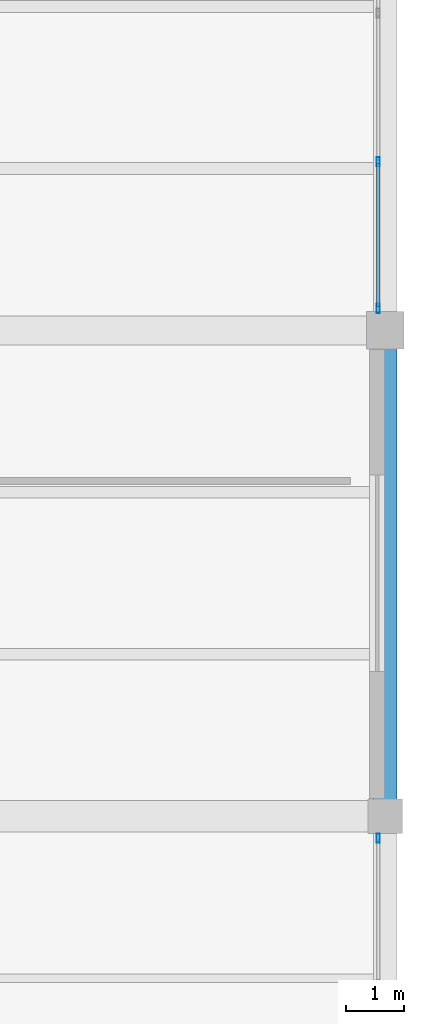
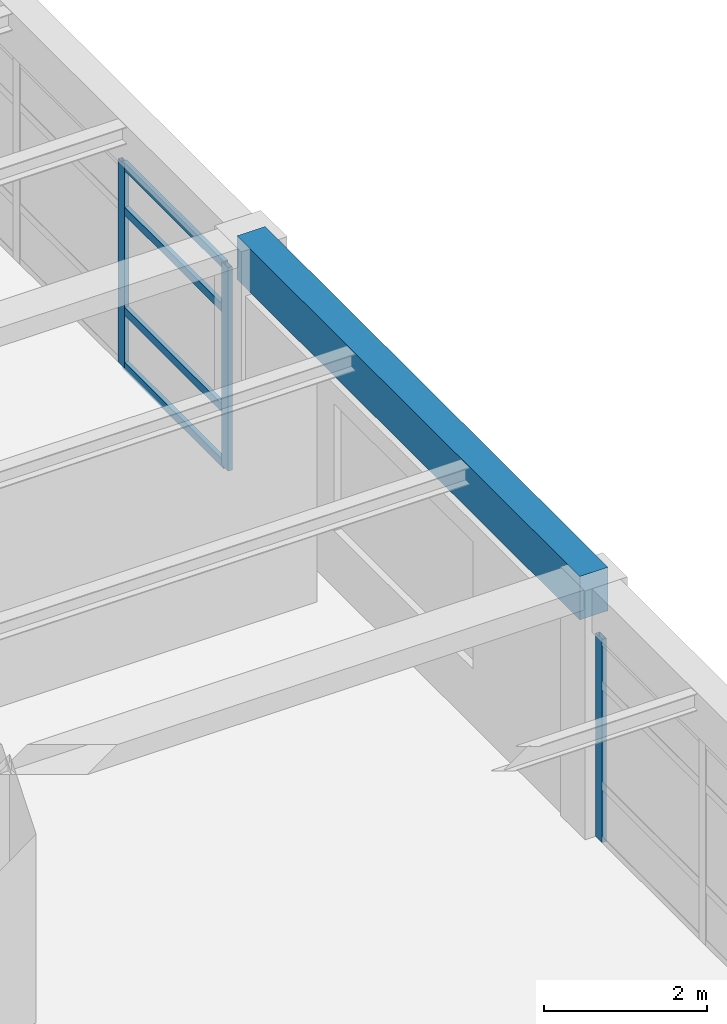
# One storey, part 15 of 26: 7 members, 1 beam, 2 elements without a shape of their own.
"""IFC4 building model written with IfcOpenShell, lengths in metres."""

from ifc_helpers import new_model, si_unit, direction, frame, origin, origin_2d, place, context, subcontext, project, spatial, rectangle, hollow_rectangle, extrude, material, material_profile, profile_set, type_object, element, aggregate, save


model = new_model("IFC4")

# Units and contexts
model_context = context("Model", 3, precision=1e-05, world=origin(), true_north=direction((0.0, 1.0)))
body_context = subcontext(model_context, "Body", "Model", "MODEL_VIEW")
ifc_project = project(units=[si_unit("LENGTHUNIT", "METRE"), si_unit("AREAUNIT", "SQUARE_METRE"), si_unit("VOLUMEUNIT", "CUBIC_METRE"), si_unit("PLANEANGLEUNIT", "RADIAN"), si_unit("MASSUNIT", "GRAM", prefix="KILO")], contexts=[model_context])

# Site, building, storey
site_placement = place(None, origin())
site = spatial("IfcSite", under=ifc_project, at=site_placement, CompositionType="ELEMENT")
building_placement = place(site_placement, origin())
building = spatial("IfcBuilding", under=site, at=building_placement, Name="Almacenes y Pasaje Nevantli", CompositionType="ELEMENT")
storey_placement = place(building_placement, frame((0.0, 0.0, 42.699951171875)))
storey = spatial("IfcBuildingStorey", under=building, at=storey_placement, Name="L10", CompositionType="ELEMENT", Elevation=42.699951171875)

# Beam
ifc_material_1 = material(Name="Concrete C35/45", Category="concrete")
ifc_material_profile_1 = material_profile(ifc_material_1, rectangle(XDim=0.39990234375, YDim=0.64990234375, at=origin_2d()), Name="RC-BM-400x650")
ifc_profile_set_1 = profile_set([ifc_material_profile_1], Name="Concrete C35/45")
beam_type = type_object("IfcBeamType", Name="BM-RC-400x650", PredefinedType="SPANDREL", material=ifc_profile_set_1)
beam_placement = place(storey_placement, frame((159.60009765625, 84.0, 3.39501953125), z_axis=(0.0, 1.0, 0.0), x_axis=(-1.0, 0.0, 0.0)))
element("IfcBeam", 1, at=beam_placement, inside=storey, type_object=beam_type, Name="L10 North-South Reinforced Concrete Beam #3842", PredefinedType="SPANDREL", context=body_context, shape_type="SweptSolid", body=[
    extrude(rectangle(XDim=0.39990234375, YDim=0.64990234375, at=origin_2d()), origin(), (0.0, 0.0, 1.0), 8.39990234375),
])

# Curtain wall, member
ifc_material_2 = material(Name="Thermally Broken Aluminium and Low-E Glass", Category="aluminium")
curtain_wall_type = type_object("IfcCurtainWallType", Name="CW-UNIT-TOWER", PredefinedType="USERDEFINED", material=ifc_material_2)
curtain_wall_1_placement = place(storey_placement, origin())
curtain_wall_1 = element("IfcCurtainWall", 2, at=curtain_wall_1_placement, inside=storey, type_object=curtain_wall_type, Name="L10 Tower East Curtain Wall Bay 10", ObjectType="UNITIZED CURTAIN WALL", PredefinedType="USERDEFINED")
ifc_material_3 = material(Name="Thermally Broken Anodized Aluminium", Category="aluminium")
ifc_material_profile_2 = material_profile(ifc_material_3, hollow_rectangle(XDim=0.06005859375, YDim=0.159912109375, WallThickness=0.00390625, at=origin_2d()), Name="ALU-MUL-60x160")
ifc_profile_set_2 = profile_set([ifc_material_profile_2], Name="Thermally Broken Anodized Aluminium")
member_type_1 = type_object("IfcMemberType", Name="CW-MUL-180", PredefinedType="MULLION", material=ifc_profile_set_2)
member_1_placement = place(storey_placement, frame((159.47998046875, 83.6201171875, 0.0), z_axis=(0.0, 0.0, 1.0), x_axis=(-1.0, 0.0, 0.0)))
member_1 = element("IfcMember", 3, at=member_1_placement, type_object=member_type_1, Name="CW-L10-147 mullion 4", PredefinedType="MULLION", context=body_context, shape_type="SweptSolid", body=[
    extrude(hollow_rectangle(XDim=0.06005859375, YDim=0.159912109375, WallThickness=0.00390625, at=origin_2d()), origin(), (0.0, 0.0, 1.0), 3.0400390625),
])
aggregate(curtain_wall_1, [member_1])

# Curtain wall, members
curtain_wall_2_placement = place(storey_placement, origin())
curtain_wall_2 = element("IfcCurtainWall", 4, at=curtain_wall_2_placement, inside=storey, type_object=curtain_wall_type, Name="L10 Tower East Curtain Wall Bay 12", ObjectType="UNITIZED CURTAIN WALL", PredefinedType="USERDEFINED")
member_2_placement = place(storey_placement, frame((159.47998046875, 92.780029296875, 0.0), z_axis=(0.0, 0.0, 1.0), x_axis=(-1.0, 0.0, 0.0)))
member_2 = element("IfcMember", 5, at=member_2_placement, type_object=member_type_1, Name="CW-L10-149 mullion 1", PredefinedType="MULLION", context=body_context, shape_type="SweptSolid", body=[
    extrude(hollow_rectangle(XDim=0.06005859375, YDim=0.159912109375, WallThickness=0.00390625, at=origin_2d()), origin(), (0.0, 0.0, 1.0), 3.0400390625),
])
member_3_placement = place(storey_placement, frame((159.47998046875, 95.316650390625, 0.0), z_axis=(0.0, 0.0, 1.0), x_axis=(-1.0, 0.0, 0.0)))
member_3 = element("IfcMember", 6, at=member_3_placement, type_object=member_type_1, Name="CW-L10-149 mullion 2", PredefinedType="MULLION", context=body_context, shape_type="SweptSolid", body=[
    extrude(hollow_rectangle(XDim=0.06005859375, YDim=0.159912109375, WallThickness=0.00390625, at=origin_2d()), origin(), (0.0, 0.0, 1.0), 3.0400390625),
])
ifc_material_4 = material(Name="Thermally Broken Anodized Aluminium", Category="aluminium")
ifc_material_profile_3 = material_profile(ifc_material_4, hollow_rectangle(XDim=0.06005859375, YDim=0.1201171875, WallThickness=0.00341796875, at=origin_2d()), Name="ALU-TRN-60x120")
ifc_profile_set_3 = profile_set([ifc_material_profile_3], Name="Thermally Broken Anodized Aluminium")
member_type_2 = type_object("IfcMemberType", Name="CW-TRN-130", PredefinedType="USERDEFINED", material=ifc_profile_set_3)
member_4_placement = place(storey_placement, frame((159.47998046875, 92.81005859375, 0.030029296875), z_axis=(0.0, 1.0, 0.0), x_axis=(-1.0, 0.0, 0.0)))
member_4 = element("IfcMember", 7, at=member_4_placement, type_object=member_type_2, Name="CW-L10-149 transom 1.1", ObjectType="TRANSOM", PredefinedType="USERDEFINED", context=body_context, shape_type="SweptSolid", body=[
    extrude(hollow_rectangle(XDim=0.06005859375, YDim=0.1201171875, WallThickness=0.00341796875, at=origin_2d()), origin(), (0.0, 0.0, 1.0), 2.4765625),
])
member_5_placement = place(storey_placement, frame((159.47998046875, 92.81005859375, 0.85009765625), z_axis=(0.0, 1.0, 0.0), x_axis=(-1.0, 0.0, 0.0)))
member_5 = element("IfcMember", 8, at=member_5_placement, type_object=member_type_2, Name="CW-L10-149 transom 1.2", ObjectType="TRANSOM", PredefinedType="USERDEFINED", context=body_context, shape_type="SweptSolid", body=[
    extrude(hollow_rectangle(XDim=0.06005859375, YDim=0.1201171875, WallThickness=0.00341796875, at=origin_2d()), origin(), (0.0, 0.0, 1.0), 2.4765625),
])
member_6_placement = place(storey_placement, frame((159.47998046875, 92.81005859375, 2.35009765625), z_axis=(0.0, 1.0, 0.0), x_axis=(-1.0, 0.0, 0.0)))
member_6 = element("IfcMember", 9, at=member_6_placement, type_object=member_type_2, Name="CW-L10-149 transom 1.3", ObjectType="TRANSOM", PredefinedType="USERDEFINED", context=body_context, shape_type="SweptSolid", body=[
    extrude(hollow_rectangle(XDim=0.06005859375, YDim=0.1201171875, WallThickness=0.00341796875, at=origin_2d()), origin(), (0.0, 0.0, 1.0), 2.4765625),
])
member_7_placement = place(storey_placement, frame((159.47998046875, 92.81005859375, 3.010009765625), z_axis=(0.0, 1.0, 0.0), x_axis=(-1.0, 0.0, 0.0)))
member_7 = element("IfcMember", 10, at=member_7_placement, type_object=member_type_2, Name="CW-L10-149 transom 1.4", ObjectType="TRANSOM", PredefinedType="USERDEFINED", context=body_context, shape_type="SweptSolid", body=[
    extrude(hollow_rectangle(XDim=0.06005859375, YDim=0.1201171875, WallThickness=0.00341796875, at=origin_2d()), origin(), (0.0, 0.0, 1.0), 2.4765625),
])
aggregate(curtain_wall_2, [member_2, member_3, member_4, member_5, member_6, member_7])

save(model, "model.ifc")
